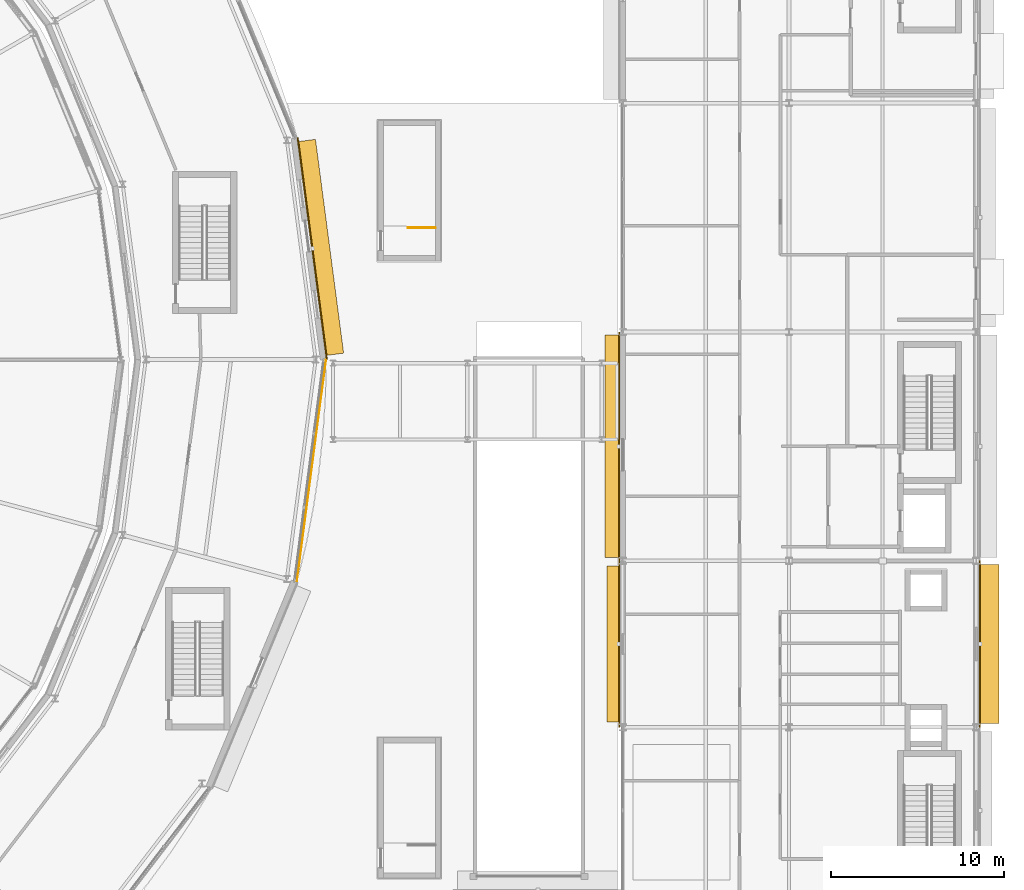
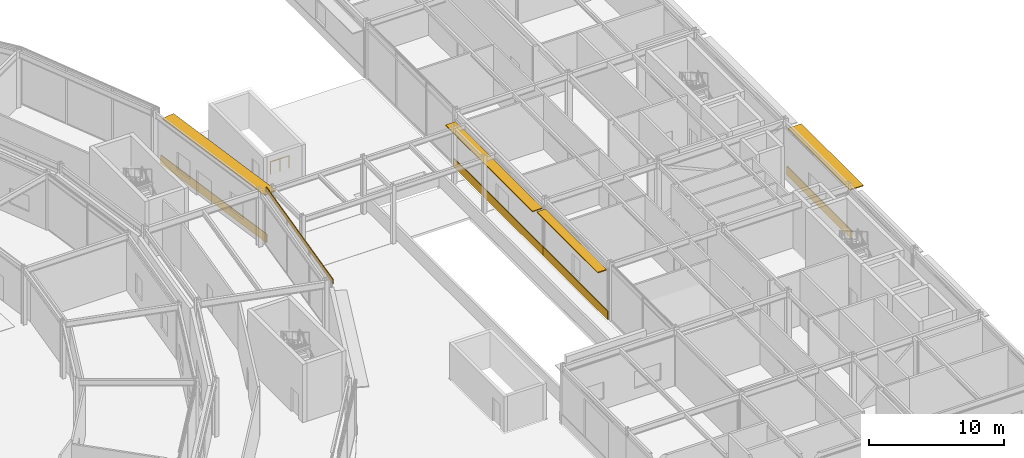
# One storey, part 164 of 168: 5 coverings, 4 shading devices, 1 railing.
"""IFC4 building model written with IfcOpenShell, lengths in metres."""

from ifc_helpers import new_model, si_unit, direction, frame, origin, origin_2d, place, context, subcontext, project, spatial, rectangle, circle, extrude, material, layer, layer_set, type_object, element, save


model = new_model("IFC4")

# Units and contexts
model_context = context("Model", 3, precision=1e-05, world=origin(), true_north=direction((0.0, 1.0)))
body_context = subcontext(model_context, "Body", "Model", "MODEL_VIEW")
ifc_project = project(units=[si_unit("LENGTHUNIT", "METRE"), si_unit("AREAUNIT", "SQUARE_METRE"), si_unit("VOLUMEUNIT", "CUBIC_METRE"), si_unit("PLANEANGLEUNIT", "RADIAN"), si_unit("MASSUNIT", "GRAM", prefix="KILO")], contexts=[model_context])

# Site, building, storey
site_placement = place(None, origin())
site = spatial("IfcSite", under=ifc_project, at=site_placement, CompositionType="ELEMENT")
building_placement = place(site_placement, origin())
building = spatial("IfcBuilding", under=site, at=building_placement, Name="Almandine Court Research Institute", CompositionType="ELEMENT")
storey_placement = place(building_placement, origin())
storey = spatial("IfcBuildingStorey", under=building, at=storey_placement, Name="L00", CompositionType="ELEMENT", Elevation=0.0)

# Coverings
ifc_material_1 = material(Name="Honed Andean Red-Buff Sandstone Cladding", Category="masonry")
ifc_layer_1 = layer(ifc_material_1, 0.06494140625)
ifc_layer_set_1 = layer_set([ifc_layer_1], Name="Honed Andean Red-Buff Sandstone Cladding")
covering_type_1 = type_object("IfcCoveringType", Name="Cov-CLAD-SAND", PredefinedType="CLADDING", material=ifc_layer_set_1)
covering_1_placement = place(storey_placement, frame((153.39892578125, 39.60009765625, 0.02001953125), z_axis=(0.0, 0.0, 1.0), x_axis=(0.0, 1.0, 0.0)))
element("IfcCovering", 1, at=covering_1_placement, inside=storey, type_object=covering_type_1, Name="L00 Facade Spandrel Cladding Band 99", PredefinedType="CLADDING", context=body_context, shape_type="SweptSolid", body=[
    extrude(rectangle(XDim=9.592041015625, YDim=0.06494140625, at=origin_2d()), origin(), (0.0, 0.0, 1.0), 0.800048828125),
])
covering_2_placement = place(storey_placement, frame((153.39892578125, 51.0, 0.02001953125), z_axis=(0.0, 0.0, 1.0), x_axis=(0.0, 1.0, 0.0)))
element("IfcCovering", 2, at=covering_2_placement, inside=storey, type_object=covering_type_1, Name="L00 Facade Spandrel Cladding Band 100", PredefinedType="CLADDING", context=body_context, shape_type="SweptSolid", body=[
    extrude(rectangle(XDim=13.19189453125, YDim=0.06494140625, at=origin_2d()), origin(), (0.0, 0.0, 1.0), 0.800048828125),
])
covering_3_placement = place(storey_placement, frame((174.200927734375, 39.60009765625, 0.02001953125), z_axis=(0.0, 0.0, 1.0), x_axis=(0.0, -1.0, 0.0)))
element("IfcCovering", 3, at=covering_3_placement, inside=storey, type_object=covering_type_1, Name="L00 Facade Spandrel Cladding Band 113", PredefinedType="CLADDING", context=body_context, shape_type="SweptSolid", body=[
    extrude(rectangle(XDim=9.592041015625, YDim=0.06494140625, at=origin_2d()), origin(), (0.0, 0.0, 1.0), 0.800048828125),
])
covering_4_placement = place(storey_placement, frame((135.697998046875, 62.410888671875, 0.02001953125), z_axis=(0.0, 0.0, 1.0), x_axis=(0.13052619222, -0.991444861374, 0.0)))
element("IfcCovering", 4, at=covering_4_placement, inside=storey, type_object=covering_type_1, Name="L00 Facade Spandrel Cladding Band 260", PredefinedType="CLADDING", context=body_context, shape_type="SweptSolid", body=[
    extrude(rectangle(XDim=12.867919921875, YDim=0.06494140625, at=origin_2d()), origin(), (0.0, 0.0, 1.0), 0.800048828125),
])
ifc_material_2 = material(Name="Extruded Cream-Ochre Seismic Terracotta Spandrel", Category="masonry")
ifc_layer_2 = layer(ifc_material_2, 0.054931640625)
ifc_layer_set_2 = layer_set([ifc_layer_2], Name="Extruded Cream-Ochre Seismic Terracotta Spandrel")
covering_type_2 = type_object("IfcCoveringType", Name="Cov-CLAD-TERR", PredefinedType="CLADDING", material=ifc_layer_set_2)
covering_5_placement = place(storey_placement, frame((135.638916015625, 49.595947265625, 4.679931640625), z_axis=(0.0, 0.0, 1.0), x_axis=(-0.13052619222, -0.991444861374, 0.0)))
element("IfcCovering", 5, at=covering_5_placement, inside=storey, type_object=covering_type_2, Name="L00 Drum Stacked Terracotta Ring Band 23", PredefinedType="CLADDING", context=body_context, shape_type="SweptSolid", body=[
    extrude(rectangle(XDim=12.8779296875, YDim=0.054931640625, at=origin_2d()), origin(), (0.0, 0.0, 1.0), 0.419921875),
])

# Railing
ifc_material_3 = material(Name="Powder-Coated Steel Stair and Atrium Balustrade", Category="steel")
railing_type = type_object("IfcRailingType", Name="Rail-GUARD-INT", PredefinedType="BALUSTRADE", material=ifc_material_3)
railing_placement = place(storey_placement, frame((142.800048828125, 63.60009765625, 0.0)))
element("IfcRailing", 6, at=railing_placement, inside=storey, type_object=railing_type, Name="L00 ST-12 top well guard 1", PredefinedType="BALUSTRADE", context=body_context, shape_type="SweptSolid", body=[
    extrude(circle(Radius=0.02392578125, at=origin_2d()), frame((0.0, 0.0, 1.09619140625), z_axis=(-1.0, 0.0, 0.0), x_axis=(0.0, -1.0, 0.0)), (0.0, 0.0, 1.0), 1.580078125),
    extrude(circle(Radius=0.02099609375, at=origin_2d()), origin(), (0.0, 0.0, 1.0), 1.072021484375),
    extrude(circle(Radius=0.02099609375, at=origin_2d()), frame((-0.7900390625, 0.0, 0.0)), (0.0, 0.0, 1.0), 1.072021484375),
    extrude(circle(Radius=0.02099609375, at=origin_2d()), frame((-1.580078125, 0.0, 0.0)), (0.0, 0.0, 1.0), 1.072021484375),
])

# Shading devices
ifc_material_4 = material(Name="Precast GFRC Chhajja Sunshade and Acoustic Louvre", Category="concrete")
ifc_layer_3 = layer(ifc_material_4, 0.080078125)
ifc_layer_set_3 = layer_set([ifc_layer_3], Name="Precast GFRC Chhajja Sunshade and Acoustic Louvre")
shading_device_type_1 = type_object("IfcShadingDeviceType", Name="Shd-SD-08", PredefinedType="AWNING", material=ifc_layer_set_3)
shading_device_1_placement = place(storey_placement, frame((174.735107421875, 39.60009765625, 4.303955078125), z_axis=(0.0, 0.0, 1.0), x_axis=(0.0, -1.0, 0.0)))
element("IfcShadingDevice", 7, at=shading_device_1_placement, inside=storey, type_object=shading_device_type_1, Name="L00 Projecting Chhajja Sunshade 73", PredefinedType="AWNING", context=body_context, shape_type="SweptSolid", body=[
    extrude(rectangle(XDim=9.162109375, YDim=1.14990234375, at=origin_2d()), origin(), (0.0, 0.0, 1.0), 0.080078125),
])
ifc_layer_4 = layer(ifc_material_4, 0.080078125)
ifc_layer_set_4 = layer_set([ifc_layer_4], Name="Precast GFRC Chhajja Sunshade and Acoustic Louvre")
shading_device_type_2 = type_object("IfcShadingDeviceType", Name="Shd-SD-14", PredefinedType="AWNING", material=ifc_layer_set_4)
shading_device_2_placement = place(storey_placement, frame((153.06494140625, 39.60009765625, 4.31298828125), z_axis=(0.0, 0.0, 1.0), x_axis=(0.0, 1.0, 0.0)))
element("IfcShadingDevice", 8, at=shading_device_2_placement, inside=storey, type_object=shading_device_type_2, Name="L00 Projecting Chhajja Sunshade 59", PredefinedType="AWNING", context=body_context, shape_type="SweptSolid", body=[
    extrude(rectangle(XDim=9.001953125, YDim=0.75, at=origin_2d()), origin(), (0.0, 0.0, 1.0), 0.080078125),
])
ifc_layer_5 = layer(ifc_material_4, 0.080078125)
ifc_layer_set_5 = layer_set([ifc_layer_5], Name="Precast GFRC Chhajja Sunshade and Acoustic Louvre")
shading_device_type_3 = type_object("IfcShadingDeviceType", Name="Shd-SD-37", PredefinedType="AWNING", material=ifc_layer_set_5)
shading_device_3_placement = place(storey_placement, frame((153.014892578125, 51.0, 4.114990234375), z_axis=(0.0, 0.0, 1.0), x_axis=(0.0, 1.0, 0.0)))
element("IfcShadingDevice", 9, at=shading_device_3_placement, inside=storey, type_object=shading_device_type_3, Name="L00 Projecting Chhajja Sunshade 60", PredefinedType="AWNING", context=body_context, shape_type="SweptSolid", body=[
    extrude(rectangle(XDim=12.842041015625, YDim=0.85009765625, at=origin_2d()), origin(), (0.0, 0.0, 1.0), 0.080078125),
])
ifc_layer_6 = layer(ifc_material_4, 0.080078125)
ifc_layer_set_6 = layer_set([ifc_layer_6], Name="Precast GFRC Chhajja Sunshade and Acoustic Louvre")
shading_device_type_4 = type_object("IfcShadingDeviceType", Name="Shd-SD-81", PredefinedType="AWNING", material=ifc_layer_set_6)
shading_device_4_placement = place(storey_placement, frame((136.178955078125, 62.47412109375, 4.153076171875), z_axis=(0.0, 0.0, 1.0), x_axis=(0.13052619222, -0.991444861374, 0.0)))
element("IfcShadingDevice", 10, at=shading_device_4_placement, inside=storey, type_object=shading_device_type_4, Name="L00 Projecting Chhajja Sunshade 177", PredefinedType="AWNING", context=body_context, shape_type="SweptSolid", body=[
    extrude(rectangle(XDim=12.43798828125, YDim=1.050048828125, at=origin_2d()), origin(), (0.0, 0.0, 1.0), 0.080078125),
])

save(model, "model.ifc")
